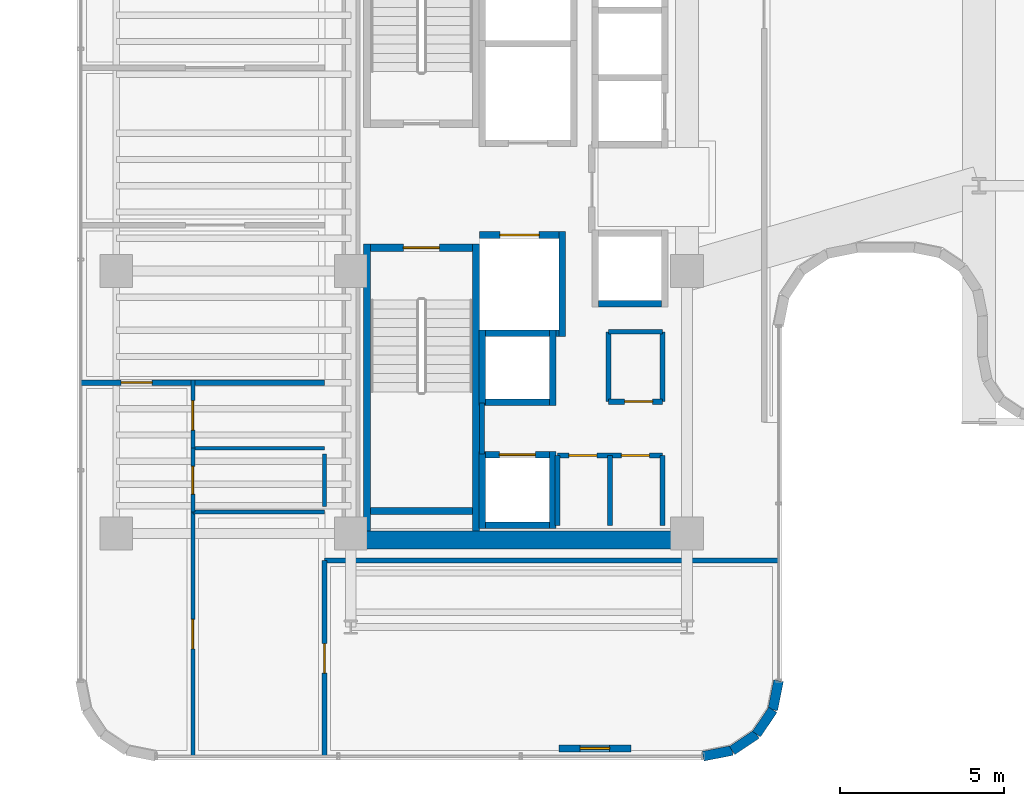
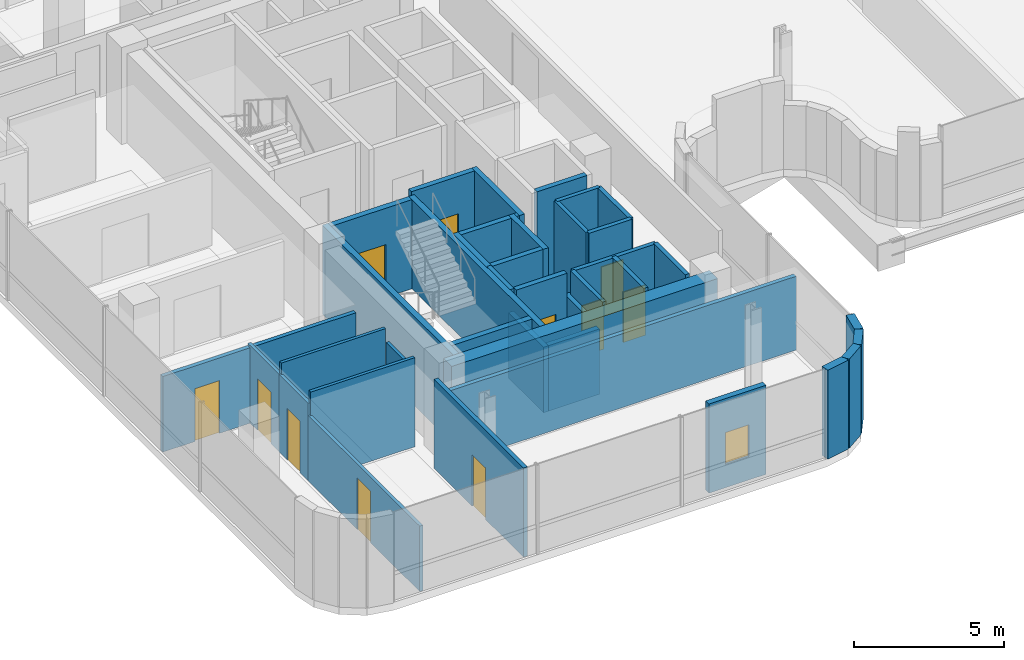
# One storey, part 27 of 39: 39 walls, 11 doors, 1 window, 12 openings.
"""IFC4 building model written with IfcOpenShell, lengths in metres."""

from ifc_helpers import new_model, si_unit, direction, frame, frame_2d, origin, place, context, subcontext, project, spatial, rectangle, extrude, material, layer, layer_set, type_object, element, fill, save


model = new_model("IFC4")

# Units and contexts
model_context = context("Model", 3, precision=1e-05, world=origin(), true_north=direction((0.0, 1.0)))
body_context = subcontext(model_context, "Body", "Model", "MODEL_VIEW")
ifc_project = project(units=[si_unit("LENGTHUNIT", "METRE"), si_unit("AREAUNIT", "SQUARE_METRE"), si_unit("VOLUMEUNIT", "CUBIC_METRE"), si_unit("PLANEANGLEUNIT", "RADIAN"), si_unit("MASSUNIT", "GRAM", prefix="KILO")], contexts=[model_context])

# Site, building, storey
site_placement = place(None, origin())
site = spatial("IfcSite", under=ifc_project, at=site_placement, CompositionType="ELEMENT")
building_placement = place(site_placement, origin())
building = spatial("IfcBuilding", under=site, at=building_placement, Name="Valdorenza Pilgrim Sanctuary Tower", CompositionType="ELEMENT")
storey_placement = place(building_placement, frame((0.0, 0.0, 184.449951171875)))
storey = spatial("IfcBuildingStorey", under=building, at=storey_placement, Name="L47", CompositionType="ELEMENT", Elevation=184.449951171875)

# Wall
ifc_material_1 = material(Name="Acoustic twin-stud gypsum partition", Category="gypsum")
ifc_layer_1 = layer(ifc_material_1, 0.159912109375, Name="Acoustic twin-stud gypsum partition")
ifc_layer_set_1 = layer_set([ifc_layer_1], Name="Acoustic twin-stud gypsum partition")
wall_type_1 = type_object("IfcWallType", Name="WAL-COR-160", PredefinedType="PARTITIONING", material=ifc_layer_set_1)
wall_1_placement = place(storey_placement, frame((-18.64990234375, -8.179931640625, 0.0), z_axis=(0.0, 0.0, 1.0), x_axis=(0.0, 1.0, 0.0)))
element("IfcWall", 1, at=wall_1_placement, inside=storey, type_object=wall_type_1, Name="L47 Core A South Lift Hall West Wall", PredefinedType="PARTITIONING", context=body_context, shape_type="SweptSolid", body=[
    extrude(rectangle(XDim=1.559814453125, YDim=0.159912109375, at=frame_2d((0.77978515625, 0.0))), origin(), (0.0, 0.0, 1.0), 3.630126953125),
])

# Wall, openings, doors
wall_2_placement = place(storey_placement, frame((-16.35009765625, -8.219970703125, 0.0), z_axis=(0.0, 0.0, 1.0), x_axis=(1.0, 0.0, 0.0)))
wall_2 = element("IfcWall", 2, at=wall_2_placement, inside=storey, type_object=wall_type_1, Name="L47 Freed Shaft 1 North Wall", PredefinedType="PARTITIONING", context=body_context, shape_type="SweptSolid", body=[
    extrude(rectangle(XDim=3.2001953125, YDim=0.159912109375, at=frame_2d((1.60009765625, 0.0))), origin(), (0.0, 0.0, 1.0), 3.630126953125),
])
opening_1_placement = place(wall_2_placement, frame((0.35009765625, 0.0, 0.0)))
opening_1 = element("IfcOpeningElement", 3, at=opening_1_placement, cuts=wall_2, Name="Opening DR-RS1", PredefinedType="OPENING", context=body_context, shape_type="SweptSolid", body=[
    extrude(rectangle(XDim=0.85009765625, YDim=2.050048828125, at=frame_2d((0.425048828125, 1.02490234375))), frame((0.0, 0.0947265625, 0.0), z_axis=(0.0, -1.0, 0.0), x_axis=(1.0, 0.0, 0.0)), (0.0, 0.0, 1.0), 0.189697265625),
])
opening_2_placement = place(wall_2_placement, frame((1.949951171875, 0.0, 0.0)))
opening_2 = element("IfcOpeningElement", 4, at=opening_2_placement, cuts=wall_2, Name="Opening DR-RS1", PredefinedType="OPENING", context=body_context, shape_type="SweptSolid", body=[
    extrude(rectangle(XDim=0.85009765625, YDim=2.050048828125, at=frame_2d((0.425048828125, 1.02490234375))), frame((0.0, 0.0947265625, 0.0), z_axis=(0.0, -1.0, 0.0), x_axis=(1.0, 0.0, 0.0)), (0.0, 0.0, 1.0), 0.189697265625),
])
ifc_material_2 = material(Name="Painted galvanized steel", Category="steel")
door_type_1 = type_object("IfcDoorType", Name="DR-RSR-850", OperationType="NOTDEFINED", PredefinedType="DOOR", material=ifc_material_2)
door_1_placement = place(opening_1_placement, origin())
door_1 = element("IfcDoor", 5, at=door_1_placement, inside=storey, type_object=door_type_1, Name="L47 Linen Store Door", OperationType="SINGLE_SWING_LEFT", OverallHeight=2.050048828125, OverallWidth=0.85009765625, PredefinedType="DOOR", context=body_context, shape_type="SweptSolid", body=[
    extrude(rectangle(XDim=0.85009765625, YDim=2.050048828125, at=frame_2d((0.425048828125, 1.02490234375))), frame((0.0, 0.02490234375, 0.0), z_axis=(0.0, -1.0, 0.0), x_axis=(1.0, 0.0, 0.0)), (0.0, 0.0, 1.0), 0.050048828125),
])
fill(opening_1, door_1)
door_2_placement = place(opening_2_placement, origin())
door_2 = element("IfcDoor", 6, at=door_2_placement, inside=storey, type_object=door_type_1, Name="L47 Cot Store Door", OperationType="SINGLE_SWING_RIGHT", OverallHeight=2.050048828125, OverallWidth=0.85009765625, PredefinedType="DOOR", context=body_context, shape_type="SweptSolid", body=[
    extrude(rectangle(XDim=0.85009765625, YDim=2.050048828125, at=frame_2d((0.425048828125, 1.02490234375))), frame((0.0, 0.02490234375, 0.0), z_axis=(0.0, -1.0, 0.0), x_axis=(1.0, 0.0, 0.0)), (0.0, 0.0, 1.0), 0.050048828125),
])
fill(opening_2, door_2)

# Walls
for number, where, z_axis, x_axis, name in (
    (7, (-13.14990234375, -10.35009765625, 0.0), (0.0, 0.0, 1.0), (0.0, 1.0, 0.0), "L47 Freed Shaft 1 East Wall"),
    (8, (-14.75, -10.35009765625, 0.0), (0.0, 0.0, 1.0), (0.0, 1.0, 0.0), "L47 Freed Shaft 1 Split Wall"),
):
    element("IfcWall", number, at=place(storey_placement, frame(where, z_axis=z_axis, x_axis=x_axis)), inside=storey, type_object=wall_type_1, Name=name, PredefinedType="PARTITIONING", context=body_context, shape_type="SweptSolid", body=[
        extrude(rectangle(XDim=2.130126953125, YDim=0.159912109375, at=frame_2d((1.06494140625, 0.0))), origin(), (0.0, 0.0, 1.0), 3.630126953125),
    ])

# Wall, opening, door
wall_3_placement = place(storey_placement, frame((-14.800048828125, -6.580078125, 0.0), z_axis=(0.0, 0.0, 1.0), x_axis=(1.0, 0.0, 0.0)))
wall_3 = element("IfcWall", 9, at=wall_3_placement, inside=storey, type_object=wall_type_1, Name="L47 Freed Shaft 2 South Wall", PredefinedType="PARTITIONING", context=body_context, shape_type="SweptSolid", body=[
    extrude(rectangle(XDim=1.650146484375, YDim=0.159912109375, at=frame_2d((0.8251953125, 0.0))), origin(), (0.0, 0.0, 1.0), 3.630126953125),
])
opening_3_placement = place(wall_3_placement, frame((0.5, 0.0, 0.0)))
opening_3 = element("IfcOpeningElement", 10, at=opening_3_placement, cuts=wall_3, Name="Opening DR-RS1", PredefinedType="OPENING", context=body_context, shape_type="SweptSolid", body=[
    extrude(rectangle(XDim=0.85009765625, YDim=2.050048828125, at=frame_2d((0.425048828125, 1.02490234375))), frame((0.0, 0.0947265625, 0.0), z_axis=(0.0, -1.0, 0.0), x_axis=(1.0, 0.0, 0.0)), (0.0, 0.0, 1.0), 0.189697265625),
])
door_3_placement = place(opening_3_placement, origin())
door_3 = element("IfcDoor", 11, at=door_3_placement, inside=storey, type_object=door_type_1, Name="L47 Guest Tea Pantry Door", OperationType="SINGLE_SWING_LEFT", OverallHeight=2.050048828125, OverallWidth=0.85009765625, PredefinedType="DOOR", context=body_context, shape_type="SweptSolid", body=[
    extrude(rectangle(XDim=0.85009765625, YDim=2.050048828125, at=frame_2d((0.425048828125, 1.02490234375))), frame((0.0, 0.02490234375, 0.0), z_axis=(0.0, -1.0, 0.0), x_axis=(1.0, 0.0, 0.0)), (0.0, 0.0, 1.0), 0.050048828125),
])
fill(opening_3, door_3)

# Walls
wall_4_placement = place(storey_placement, frame((-13.14990234375, -6.580078125, 0.0), z_axis=(0.0, 0.0, 1.0), x_axis=(0.0, 1.0, 0.0)))
element("IfcWall", 12, at=wall_4_placement, inside=storey, type_object=wall_type_1, Name="L47 Freed Shaft 2 East Wall", PredefinedType="PARTITIONING", context=body_context, shape_type="SweptSolid", body=[
    extrude(rectangle(XDim=2.130126953125, YDim=0.159912109375, at=frame_2d((1.06494140625, 0.0))), origin(), (0.0, 0.0, 1.0), 3.630126953125),
])
wall_5_placement = place(storey_placement, frame((-23.449951171875, -11.419921875, 0.0), z_axis=(0.0, 0.0, 1.0), x_axis=(1.0, 0.0, 0.0)))
element("IfcWall", 13, at=wall_5_placement, inside=storey, type_object=wall_type_1, Name="L47 South-East Pocket North Wall", PredefinedType="PARTITIONING", context=body_context, shape_type="SweptSolid", body=[
    extrude(rectangle(XDim=13.83984375, YDim=0.159912109375, at=frame_2d((6.919921875, 0.0))), origin(), (0.0, 0.0, 1.0), 3.004150390625),
])

# Wall, opening, door
wall_6_placement = place(storey_placement, frame((-23.449951171875, -17.389892578125, 0.0), z_axis=(0.0, 0.0, 1.0), x_axis=(0.0, 1.0, 0.0)))
wall_6 = element("IfcWall", 14, at=wall_6_placement, inside=storey, type_object=wall_type_1, Name="L47 South-East Pocket West Wall", PredefinedType="PARTITIONING", context=body_context, shape_type="SweptSolid", body=[
    extrude(rectangle(XDim=5.969970703125, YDim=0.159912109375, at=frame_2d((2.98486328125, 0.0))), origin(), (0.0, 0.0, 1.0), 3.630126953125),
])
opening_4_placement = place(wall_6_placement, frame((2.534912109375, 0.0, 0.0)))
opening_4 = element("IfcOpeningElement", 15, at=opening_4_placement, cuts=wall_6, Name="Opening DR-RM1", PredefinedType="OPENING", context=body_context, shape_type="SweptSolid", body=[
    extrude(rectangle(XDim=0.89990234375, YDim=2.10009765625, at=frame_2d((0.449951171875, 1.050048828125))), frame((0.0, 0.0947265625, 0.0), z_axis=(0.0, -1.0, 0.0), x_axis=(1.0, 0.0, 0.0)), (0.0, 0.0, 1.0), 0.189697265625),
])
ifc_material_3 = material(Name="Solid-core European oak timber", Category="wood")
door_type_2 = type_object("IfcDoorType", Name="DR-ROOM-900", OperationType="NOTDEFINED", PredefinedType="DOOR", material=ifc_material_3)
door_4_placement = place(opening_4_placement, frame((0.89990234375, 0.0, 0.0), z_axis=(0.0, 0.0, 1.0), x_axis=(-1.0, 0.0, 0.0)))
door_4 = element("IfcDoor", 16, at=door_4_placement, inside=storey, type_object=door_type_2, Name="L47 South Panoramic Viewing Salon L47 Door", OperationType="SINGLE_SWING_LEFT", OverallHeight=2.10009765625, OverallWidth=0.89990234375, PredefinedType="DOOR", context=body_context, shape_type="SweptSolid", body=[
    extrude(rectangle(XDim=0.89990234375, YDim=2.10009765625, at=frame_2d((0.449951171875, 1.050048828125))), frame((0.0, 0.02490234375, 0.0), z_axis=(0.0, -1.0, 0.0), x_axis=(1.0, 0.0, 0.0)), (0.0, 0.0, 1.0), 0.050048828125),
])
fill(opening_4, door_4)

wall_7_placement = place(storey_placement, frame((-30.889892578125, -6.0, 0.0), z_axis=(0.0, 0.0, 1.0), x_axis=(1.0, 0.0, 0.0)))
wall_7 = element("IfcWall", 17, at=wall_7_placement, inside=storey, type_object=wall_type_1, Name="L47 Cloister South Room Wall", PredefinedType="PARTITIONING", context=body_context, shape_type="SweptSolid", body=[
    extrude(rectangle(XDim=7.43994140625, YDim=0.159912109375, at=frame_2d((3.719970703125, 0.0))), origin(), (0.0, 0.0, 1.0), 3.075927734375),
])
opening_5_placement = place(wall_7_placement, frame((1.236083984375, 0.0, 0.0)))
opening_5 = element("IfcOpeningElement", 18, at=opening_5_placement, cuts=wall_7, Name="Opening DR-UN1", PredefinedType="OPENING", context=body_context, shape_type="SweptSolid", body=[
    extrude(rectangle(XDim=0.949951171875, YDim=2.14990234375, at=frame_2d((0.47509765625, 1.074951171875))), frame((0.0, 0.0947265625, 0.0), z_axis=(0.0, -1.0, 0.0), x_axis=(1.0, 0.0, 0.0)), (0.0, 0.0, 1.0), 0.189697265625),
])
door_type_3 = type_object("IfcDoorType", Name="DR-UNIT-950", OperationType="NOTDEFINED", PredefinedType="DOOR", material=ifc_material_3)
door_5_placement = place(opening_5_placement, origin())
door_5 = element("IfcDoor", 19, at=door_5_placement, inside=storey, type_object=door_type_3, Name="L47 Sanctuary Apartment L47-CS1 Entrance Door", OperationType="SINGLE_SWING_RIGHT", OverallHeight=2.14990234375, OverallWidth=0.949951171875, PredefinedType="DOOR", context=body_context, shape_type="SweptSolid", body=[
    extrude(rectangle(XDim=0.949951171875, YDim=2.14990234375, at=frame_2d((0.47509765625, 1.074951171875))), frame((0.0, 0.02490234375, 0.0), z_axis=(0.0, -1.0, 0.0), x_axis=(1.0, 0.0, 0.0)), (0.0, 0.0, 1.0), 0.050048828125),
])
fill(opening_5, door_5)

# Walls
ifc_material_4 = material(Name="Concrete C50/60", Category="concrete")
ifc_layer_2 = layer(ifc_material_4, 0.550048828125, Name="Concrete C50/60")
ifc_layer_set_2 = layer_set([ifc_layer_2], Name="Concrete C50/60")
wall_type_2 = type_object("IfcWallType", Name="WAL-COR-550", PredefinedType="SHEAR", material=ifc_layer_set_2)
wall_8_placement = place(storey_placement, frame((-22.64990234375, -10.800048828125, 0.0), z_axis=(0.0, 0.0, 1.0), x_axis=(1.0, 0.0, 0.0)))
element("IfcWall", 20, at=wall_8_placement, inside=storey, type_object=wall_type_2, Name="L47 Split Core A Shear Wall S", PredefinedType="SHEAR", context=body_context, shape_type="SweptSolid", body=[
    extrude(rectangle(XDim=10.25, YDim=0.550048828125, at=frame_2d((5.125, 0.0))), origin(), (0.0, 0.0, 1.0), 3.630126953125),
])
ifc_material_5 = material(Name="Honed travertine limestone", Category="masonry")
ifc_layer_3 = layer(ifc_material_5, 0.300048828125, Name="Honed travertine limestone")
ifc_layer_set_3 = layer_set([ifc_layer_3], Name="Honed travertine limestone")
wall_type_3 = type_object("IfcWallType", Name="WAL-EXT-300", PredefinedType="SOLIDWALL", material=ifc_layer_set_3)
wall_9_placement = place(storey_placement, frame((-9.610107421875, -15.089111328125, 0.0), z_axis=(0.0, 0.0, 1.0), x_axis=(-0.195025152871, -0.980798241101, 0.0)))
element("IfcWall", 21, at=wall_9_placement, inside=storey, type_object=wall_type_3, Name="L47 Rounded Wind-Corner Stone Pier 78", PredefinedType="SOLIDWALL", context=body_context, shape_type="SweptSolid", body=[
    extrude(rectangle(XDim=0.90380859375, YDim=0.300048828125, at=frame_2d((0.451904296875, 0.0))), origin(), (0.0, 0.0, 1.0), 3.630126953125),
])
for number, where, z_axis, x_axis, name in (
    (22, (-9.786376953125, -15.9755859375, 0.0), (0.0, 0.0, 1.0), (-0.555520488502, -0.831502848374, 0.0), "L47 Rounded Wind-Corner Stone Pier 79"),
    (23, (-10.2822265625, -16.7177734375, 0.0), (0.0, 0.0, 1.0), (-0.831502848374, -0.555520488502, 0.0), "L47 Rounded Wind-Corner Stone Pier 80"),
):
    element("IfcWall", number, at=place(storey_placement, frame(where, z_axis=z_axis, x_axis=x_axis)), inside=storey, type_object=wall_type_3, Name=name, PredefinedType="SOLIDWALL", context=body_context, shape_type="SweptSolid", body=[
        extrude(rectangle(XDim=0.892578125, YDim=0.300048828125, at=frame_2d((0.4462890625, 0.0))), origin(), (0.0, 0.0, 1.0), 3.630126953125),
    ])
wall_10_placement = place(storey_placement, frame((-11.0244140625, -17.213623046875, 0.0), z_axis=(0.0, 0.0, 1.0), x_axis=(-0.980798241101, -0.195025152871, 0.0)))
element("IfcWall", 24, at=wall_10_placement, inside=storey, type_object=wall_type_3, Name="L47 Rounded Wind-Corner Stone Pier 81", PredefinedType="SOLIDWALL", context=body_context, shape_type="SweptSolid", body=[
    extrude(rectangle(XDim=0.90380859375, YDim=0.300048828125, at=frame_2d((0.451904296875, 0.0))), origin(), (0.0, 0.0, 1.0), 3.630126953125),
])

# Wall, opening, window
wall_11_placement = place(storey_placement, frame((-14.11083984375, -17.14990234375, 0.0), z_axis=(0.0, 0.0, 1.0), x_axis=(-1.0, 0.0, 0.0)))
wall_11 = element("IfcWall", 25, at=wall_11_placement, inside=storey, type_object=wall_type_3, Name="L47 Operable Ventilation Sash Jamb Pier", PredefinedType="SOLIDWALL", context=body_context, shape_type="SweptSolid", body=[
    extrude(rectangle(XDim=2.199951171875, YDim=0.219970703125, at=frame_2d((1.10009765625, 0.0))), origin(), (0.0, 0.0, 1.0), 3.630126953125),
])
opening_6_placement = place(wall_11_placement, frame((0.64990234375, 0.0, 0.949951171875)))
opening_6 = element("IfcOpeningElement", 26, at=opening_6_placement, cuts=wall_11, Name="Opening WN-OP1", PredefinedType="OPENING", context=body_context, shape_type="SweptSolid", body=[
    extrude(rectangle(XDim=0.89990234375, YDim=1.300048828125, at=frame_2d((0.449951171875, 0.64990234375))), frame((0.0, 0.125, 0.0), z_axis=(0.0, -1.0, 0.0), x_axis=(1.0, 0.0, 0.0)), (0.0, 0.0, 1.0), 0.249755859375),
])
ifc_material_6 = material(Name="Ceramic-fritted low-E IGU glazing", Category="glass")
window_type = type_object("IfcWindowType", Name="WIN-OPN-900", PartitioningType="SINGLE_PANEL", PredefinedType="WINDOW", material=ifc_material_6)
window_placement = place(opening_6_placement, origin())
window = element("IfcWindow", 27, at=window_placement, inside=storey, type_object=window_type, Name="L47 Parallel-Pop-Out Operable Facade Panel", OverallHeight=1.300048828125, OverallWidth=0.89990234375, PartitioningType="SINGLE_PANEL", PredefinedType="WINDOW", context=body_context, shape_type="SweptSolid", body=[
    extrude(rectangle(XDim=0.89990234375, YDim=1.300048828125, at=frame_2d((0.449951171875, 0.64990234375))), frame((0.0, 0.030029296875, 0.0), z_axis=(0.0, -1.0, 0.0), x_axis=(1.0, 0.0, 0.0)), (0.0, 0.0, 1.0), 0.06005859375),
])
fill(opening_6, window)

# Walls
ifc_material_7 = material(Name="Moisture-resistant gypsum partition", Category="gypsum")
ifc_layer_4 = layer(ifc_material_7, 0.1201171875, Name="Moisture-resistant gypsum partition")
ifc_layer_set_4 = layer_set([ifc_layer_4], Name="Moisture-resistant gypsum partition")
wall_type_4 = type_object("IfcWallType", Name="WAL-INT-120", PredefinedType="PARTITIONING", material=ifc_layer_set_4)
for number, where, z_axis, x_axis, name in (
    (28, (-27.467529296875, -8.0, 0.0), (0.0, 0.0, 1.0), (1.0, 0.0, 0.0), "L47 Sanctuary Apartment L47-CS1 Bath-Kitchen Wall"),
    (29, (-27.467529296875, -9.949951171875, 0.0), (0.0, 0.0, 1.0), (1.0, 0.0, 0.0), "L47 Sanctuary Apartment L47-CS1 Kitchen-Bedroom Wall"),
):
    element("IfcWall", number, at=place(storey_placement, frame(where, z_axis=z_axis, x_axis=x_axis)), inside=storey, type_object=wall_type_4, Name=name, PredefinedType="PARTITIONING", context=body_context, shape_type="SweptSolid", body=[
        extrude(rectangle(XDim=4.017578125, YDim=0.1201171875, at=frame_2d((2.0087890625, 0.0))), origin(), (0.0, 0.0, 1.0), 3.630126953125),
    ])

# Wall, opening, door
wall_12_placement = place(storey_placement, frame((-27.467529296875, -9.949951171875, 0.0), z_axis=(0.0, 0.0, 1.0), x_axis=(0.0, 1.0, 0.0)))
wall_12 = element("IfcWall", 30, at=wall_12_placement, inside=storey, type_object=wall_type_4, Name="L47 Sanctuary Apartment L47-CS1 Bathroom Door Wall", PredefinedType="PARTITIONING", context=body_context, shape_type="SweptSolid", body=[
    extrude(rectangle(XDim=1.949951171875, YDim=0.1201171875, at=frame_2d((0.97509765625, 0.0))), origin(), (0.0, 0.0, 1.0), 3.157958984375),
])
opening_7_placement = place(wall_12_placement, frame((0.550048828125, 0.0, 0.0)))
opening_7 = element("IfcOpeningElement", 31, at=opening_7_placement, cuts=wall_12, Name="Opening DR-WC1", PredefinedType="OPENING", context=body_context, shape_type="SweptSolid", body=[
    extrude(rectangle(XDim=0.85009765625, YDim=2.10009765625, at=frame_2d((0.425048828125, 1.050048828125))), frame((0.0, 0.074951171875, 0.0), z_axis=(0.0, -1.0, 0.0), x_axis=(1.0, 0.0, 0.0)), (0.0, 0.0, 1.0), 0.14990234375),
])
ifc_material_8 = material(Name="Moisture-resistant lacquered timber", Category="wood")
door_type_4 = type_object("IfcDoorType", Name="DR-BATH-850", OperationType="NOTDEFINED", PredefinedType="DOOR", material=ifc_material_8)
door_6_placement = place(opening_7_placement, origin())
door_6 = element("IfcDoor", 32, at=door_6_placement, inside=storey, type_object=door_type_4, Name="L47 Sanctuary Apartment L47-CS1 Bathroom Door", OperationType="SINGLE_SWING_LEFT", OverallHeight=2.10009765625, OverallWidth=0.85009765625, PredefinedType="DOOR", context=body_context, shape_type="SweptSolid", body=[
    extrude(rectangle(XDim=0.85009765625, YDim=2.10009765625, at=frame_2d((0.425048828125, 1.050048828125))), frame((0.0, 0.02490234375, 0.0), z_axis=(0.0, -1.0, 0.0), x_axis=(1.0, 0.0, 0.0)), (0.0, 0.0, 1.0), 0.050048828125),
])
fill(opening_7, door_6)

wall_13_placement = place(storey_placement, frame((-27.467529296875, -8.0, 0.0), z_axis=(0.0, 0.0, 1.0), x_axis=(0.0, 1.0, 0.0)))
wall_13 = element("IfcWall", 33, at=wall_13_placement, inside=storey, type_object=wall_type_4, Name="L47 Sanctuary Apartment L47-CS1 Kitchen Door Wall", PredefinedType="PARTITIONING", context=body_context, shape_type="SweptSolid", body=[
    extrude(rectangle(XDim=2.080078125, YDim=0.1201171875, at=frame_2d((1.0400390625, 0.0))), origin(), (0.0, 0.0, 1.0), 3.157958984375),
])
opening_8_placement = place(wall_13_placement, frame((0.550048828125, 0.0, 0.0)))
opening_8 = element("IfcOpeningElement", 34, at=opening_8_placement, cuts=wall_13, Name="Opening DR-RM1", PredefinedType="OPENING", context=body_context, shape_type="SweptSolid", body=[
    extrude(rectangle(XDim=0.89990234375, YDim=2.10009765625, at=frame_2d((0.449951171875, 1.050048828125))), frame((0.0, 0.074951171875, 0.0), z_axis=(0.0, -1.0, 0.0), x_axis=(1.0, 0.0, 0.0)), (0.0, 0.0, 1.0), 0.14990234375),
])
door_7_placement = place(opening_8_placement, origin())
door_7 = element("IfcDoor", 35, at=door_7_placement, inside=storey, type_object=door_type_2, Name="L47 Sanctuary Apartment L47-CS1 Kitchen Door", OperationType="SINGLE_SWING_RIGHT", OverallHeight=2.10009765625, OverallWidth=0.89990234375, PredefinedType="DOOR", context=body_context, shape_type="SweptSolid", body=[
    extrude(rectangle(XDim=0.89990234375, YDim=2.10009765625, at=frame_2d((0.449951171875, 1.050048828125))), frame((0.0, 0.02490234375, 0.0), z_axis=(0.0, -1.0, 0.0), x_axis=(1.0, 0.0, 0.0)), (0.0, 0.0, 1.0), 0.050048828125),
])
fill(opening_8, door_7)

wall_14_placement = place(storey_placement, frame((-27.467529296875, -17.389892578125, 0.0), z_axis=(0.0, 0.0, 1.0), x_axis=(0.0, 1.0, 0.0)))
wall_14 = element("IfcWall", 36, at=wall_14_placement, inside=storey, type_object=wall_type_4, Name="L47 Sanctuary Apartment L47-CS1 Bedroom Door Wall", PredefinedType="PARTITIONING", context=body_context, shape_type="SweptSolid", body=[
    extrude(rectangle(XDim=7.43994140625, YDim=0.1201171875, at=frame_2d((3.719970703125, 0.0))), origin(), (0.0, 0.0, 1.0), 2.6650390625),
])
opening_9_placement = place(wall_14_placement, frame((3.27001953125, 0.0, 0.0)))
opening_9 = element("IfcOpeningElement", 37, at=opening_9_placement, cuts=wall_14, Name="Opening DR-RM1", PredefinedType="OPENING", context=body_context, shape_type="SweptSolid", body=[
    extrude(rectangle(XDim=0.89990234375, YDim=2.10009765625, at=frame_2d((0.449951171875, 1.050048828125))), frame((0.0, 0.074951171875, 0.0), z_axis=(0.0, -1.0, 0.0), x_axis=(1.0, 0.0, 0.0)), (0.0, 0.0, 1.0), 0.14990234375),
])
door_8_placement = place(opening_9_placement, frame((0.89990234375, 0.0, 0.0), z_axis=(0.0, 0.0, 1.0), x_axis=(-1.0, 0.0, 0.0)))
door_8 = element("IfcDoor", 38, at=door_8_placement, inside=storey, type_object=door_type_2, Name="L47 Sanctuary Apartment L47-CS1 Bedroom Door", OperationType="SINGLE_SWING_LEFT", OverallHeight=2.10009765625, OverallWidth=0.89990234375, PredefinedType="DOOR", context=body_context, shape_type="SweptSolid", body=[
    extrude(rectangle(XDim=0.89990234375, YDim=2.10009765625, at=frame_2d((0.449951171875, 1.050048828125))), frame((0.0, 0.02490234375, 0.0), z_axis=(0.0, -1.0, 0.0), x_axis=(1.0, 0.0, 0.0)), (0.0, 0.0, 1.0), 0.050048828125),
])
fill(opening_9, door_8)

# Walls
wall_15_placement = place(storey_placement, frame((-23.449951171875, -9.77001953125, 0.0), z_axis=(0.0, 0.0, 1.0), x_axis=(0.0, 1.0, 0.0)))
element("IfcWall", 39, at=wall_15_placement, inside=storey, type_object=wall_type_4, Name="L47 CL-SF1-BTH Enclosure Wall E", PredefinedType="PARTITIONING", context=body_context, shape_type="SweptSolid", body=[
    extrude(rectangle(XDim=1.590087890625, YDim=0.1201171875, at=frame_2d((0.794921875, 0.0))), origin(), (0.0, 0.0, 1.0), 3.157958984375),
])
ifc_material_9 = material(Name="Autoclaved aerated concrete blockwork", Category="masonry")
ifc_layer_5 = layer(ifc_material_9, 0.199951171875, Name="Autoclaved aerated concrete blockwork")
ifc_layer_set_5 = layer_set([ifc_layer_5], Name="Autoclaved aerated concrete blockwork")
wall_type_5 = type_object("IfcWallType", Name="WAL-SHF-200", PredefinedType="MOVABLE", material=ifc_layer_set_5)
wall_16_placement = place(storey_placement, frame((-16.199951171875, -4.60009765625, 0.0), z_axis=(0.0, 0.0, 1.0), x_axis=(0.0, 1.0, 0.0)))
element("IfcWall", 40, at=wall_16_placement, inside=storey, type_object=wall_type_5, Name="L47 Lift FFL-02 Hoistway Wall East", PredefinedType="MOVABLE", context=body_context, shape_type="SweptSolid", body=[
    extrude(rectangle(XDim=3.2001953125, YDim=0.199951171875, at=frame_2d((1.60009765625, 0.0))), origin(), (0.0, 0.0, 1.0), 3.630126953125),
])
wall_17_placement = place(storey_placement, frame((-18.719970703125, -4.5, 0.0), z_axis=(0.0, 0.0, 1.0), x_axis=(1.0, 0.0, 0.0)))
element("IfcWall", 41, at=wall_17_placement, inside=storey, type_object=wall_type_5, Name="L47 Lift FFL-02 Hoistway Wall South", PredefinedType="MOVABLE", context=body_context, shape_type="SweptSolid", body=[
    extrude(rectangle(XDim=2.419921875, YDim=0.199951171875, at=frame_2d((1.2099609375, 0.0))), origin(), (0.0, 0.0, 1.0), 3.630126953125),
])

# Wall, opening, door
wall_18_placement = place(storey_placement, frame((-18.719970703125, -1.5, 0.0), z_axis=(0.0, 0.0, 1.0), x_axis=(1.0, 0.0, 0.0)))
wall_18 = element("IfcWall", 42, at=wall_18_placement, inside=storey, type_object=wall_type_5, Name="L47 Lift FFL-02 Hoistway Wall North", PredefinedType="MOVABLE", context=body_context, shape_type="SweptSolid", body=[
    extrude(rectangle(XDim=2.419921875, YDim=0.199951171875, at=frame_2d((1.2099609375, 0.0))), origin(), (0.0, 0.0, 1.0), 3.630126953125),
])
opening_10_placement = place(wall_18_placement, frame((0.610107421875, 0.0, 0.0)))
opening_10 = element("IfcOpeningElement", 43, at=opening_10_placement, cuts=wall_18, Name="Opening LD-02", PredefinedType="OPENING", context=body_context, shape_type="SweptSolid", body=[
    extrude(rectangle(XDim=1.199951171875, YDim=2.10009765625, at=frame_2d((0.60009765625, 1.050048828125))), frame((0.0, 0.11474609375, 0.0), z_axis=(0.0, -1.0, 0.0), x_axis=(1.0, 0.0, 0.0)), (0.0, 0.0, 1.0), 0.229736328125),
])
ifc_material_10 = material(Name="Brushed stainless steel Grade 316", Category="steel")
door_type_5 = type_object("IfcDoorType", Name="DR-LFT-1200", OperationType="DOUBLE_DOOR_SLIDING", PredefinedType="DOOR", material=ifc_material_10)
door_9_placement = place(opening_10_placement, origin())
door_9 = element("IfcDoor", 44, at=door_9_placement, inside=storey, type_object=door_type_5, Name="L47 Lift FFL-02 Sliding Landing Door", OperationType="DOUBLE_DOOR_SLIDING", OverallHeight=2.10009765625, OverallWidth=1.199951171875, PredefinedType="DOOR", context=body_context, shape_type="SweptSolid", body=[
    extrude(rectangle(XDim=1.199951171875, YDim=2.10009765625, at=frame_2d((0.60009765625, 1.050048828125))), frame((0.0, 0.02490234375, 0.0), z_axis=(0.0, -1.0, 0.0), x_axis=(1.0, 0.0, 0.0)), (0.0, 0.0, 1.0), 0.050048828125),
])
fill(opening_10, door_9)

# Walls
for number, where, z_axis, x_axis, name in (
    (45, (-18.64990234375, -10.449951171875, 0.0), (0.0, 0.0, 1.0), (0.0, 1.0, 0.0), "L47 Lift PL-05 Hoistway Wall West"),
    (46, (-16.5, -10.449951171875, 0.0), (0.0, 0.0, 1.0), (0.0, 1.0, 0.0), "L47 Lift PL-05 Hoistway Wall East"),
):
    element("IfcWall", number, at=place(storey_placement, frame(where, z_axis=z_axis, x_axis=x_axis)), inside=storey, type_object=wall_type_5, Name=name, PredefinedType="MOVABLE", context=body_context, shape_type="SweptSolid", body=[
        extrude(rectangle(XDim=2.349853515625, YDim=0.199951171875, at=frame_2d((1.1748046875, 0.0))), origin(), (0.0, 0.0, 1.0), 2.6650390625),
    ])
wall_19_placement = place(storey_placement, frame((-18.550048828125, -10.35009765625, 0.0), z_axis=(0.0, 0.0, 1.0), x_axis=(1.0, 0.0, 0.0)))
element("IfcWall", 47, at=wall_19_placement, inside=storey, type_object=wall_type_5, Name="L47 Lift PL-05 Hoistway Wall South", PredefinedType="MOVABLE", context=body_context, shape_type="SweptSolid", body=[
    extrude(rectangle(XDim=1.949951171875, YDim=0.199951171875, at=frame_2d((0.97509765625, 0.0))), origin(), (0.0, 0.0, 1.0), 2.6650390625),
])

# Wall, opening, door
wall_20_placement = place(storey_placement, frame((-18.550048828125, -8.199951171875, 0.0), z_axis=(0.0, 0.0, 1.0), x_axis=(1.0, 0.0, 0.0)))
wall_20 = element("IfcWall", 48, at=wall_20_placement, inside=storey, type_object=wall_type_5, Name="L47 Lift PL-05 Hoistway Wall North", PredefinedType="MOVABLE", context=body_context, shape_type="SweptSolid", body=[
    extrude(rectangle(XDim=1.949951171875, YDim=0.199951171875, at=frame_2d((0.97509765625, 0.0))), origin(), (0.0, 0.0, 1.0), 3.630126953125),
])
opening_11_placement = place(wall_20_placement, frame((0.425048828125, 0.0, 0.0)))
opening_11 = element("IfcOpeningElement", 49, at=opening_11_placement, cuts=wall_20, Name="Opening LD-01", PredefinedType="OPENING", context=body_context, shape_type="SweptSolid", body=[
    extrude(rectangle(XDim=1.10009765625, YDim=2.10009765625, at=frame_2d((0.550048828125, 1.050048828125))), frame((0.0, 0.11474609375, 0.0), z_axis=(0.0, -1.0, 0.0), x_axis=(1.0, 0.0, 0.0)), (0.0, 0.0, 1.0), 0.229736328125),
])
door_type_6 = type_object("IfcDoorType", Name="DR-LFT-1100", OperationType="DOUBLE_DOOR_SLIDING", PredefinedType="DOOR", material=ifc_material_10)
door_10_placement = place(opening_11_placement, origin())
door_10 = element("IfcDoor", 50, at=door_10_placement, inside=storey, type_object=door_type_6, Name="L47 Lift PL-05 Sliding Landing Door", OperationType="DOUBLE_DOOR_SLIDING", OverallHeight=2.10009765625, OverallWidth=1.10009765625, PredefinedType="DOOR", context=body_context, shape_type="SweptSolid", body=[
    extrude(rectangle(XDim=1.10009765625, YDim=2.10009765625, at=frame_2d((0.550048828125, 1.050048828125))), frame((0.0, 0.02490234375, 0.0), z_axis=(0.0, -1.0, 0.0), x_axis=(1.0, 0.0, 0.0)), (0.0, 0.0, 1.0), 0.050048828125),
])
fill(opening_11, door_10)

# Walls
for number, where, z_axis, x_axis, name in (
    (51, (-18.64990234375, -6.699951171875, 0.0), (0.0, 0.0, 1.0), (0.0, 1.0, 0.0), "L47 Lift PL-11 Hoistway Wall West"),
    (52, (-16.5, -6.699951171875, 0.0), (0.0, 0.0, 1.0), (0.0, 1.0, 0.0), "L47 Lift PL-11 Hoistway Wall East"),
):
    element("IfcWall", number, at=place(storey_placement, frame(where, z_axis=z_axis, x_axis=x_axis)), inside=storey, type_object=wall_type_5, Name=name, PredefinedType="MOVABLE", context=body_context, shape_type="SweptSolid", body=[
        extrude(rectangle(XDim=2.300048828125, YDim=0.199951171875, at=frame_2d((1.14990234375, 0.0))), origin(), (0.0, 0.0, 1.0), 3.630126953125),
    ])
wall_21_placement = place(storey_placement, frame((-18.550048828125, -6.60009765625, 0.0), z_axis=(0.0, 0.0, 1.0), x_axis=(1.0, 0.0, 0.0)))
element("IfcWall", 53, at=wall_21_placement, inside=storey, type_object=wall_type_5, Name="L47 Lift PL-11 Hoistway Wall South", PredefinedType="MOVABLE", context=body_context, shape_type="SweptSolid", body=[
    extrude(rectangle(XDim=1.949951171875, YDim=0.199951171875, at=frame_2d((0.97509765625, 0.0))), origin(), (0.0, 0.0, 1.0), 3.630126953125),
])
wall_22_placement = place(storey_placement, frame((-15.10009765625, -3.60009765625, 0.0), z_axis=(0.0, 0.0, 1.0), x_axis=(1.0, 0.0, 0.0)))
element("IfcWall", 54, at=wall_22_placement, inside=storey, type_object=wall_type_5, Name="L47 Lift PL-12 Hoistway Wall South", PredefinedType="MOVABLE", context=body_context, shape_type="SweptSolid", body=[
    extrude(rectangle(XDim=1.920166015625, YDim=0.199951171875, at=frame_2d((0.9599609375, 0.0))), origin(), (0.0, 0.0, 1.0), 3.630126953125),
])
ifc_material_11 = material(Name="Concrete C40/50", Category="concrete")
ifc_layer_6 = layer(ifc_material_11, 0.219970703125, Name="Concrete C40/50")
ifc_layer_set_6 = layer_set([ifc_layer_6], Name="Concrete C40/50")
wall_type_6 = type_object("IfcWallType", Name="WAL-STR-SHF-220", PredefinedType="SHEAR", material=ifc_layer_set_6)
for number, where, z_axis, x_axis, name in (
    (55, (-22.159912109375, -10.52490234375, 0.0), (0.0, 0.0, 1.0), (0.0, 1.0, 0.0), "L47 ST-A2 Structural Stairwell Wall W"),
    (56, (-18.830078125, -10.52490234375, 0.0), (0.0, 0.0, 1.0), (0.0, 1.0, 0.0), "L47 ST-A2 Structural Stairwell Wall E"),
):
    element("IfcWall", number, at=place(storey_placement, frame(where, z_axis=z_axis, x_axis=x_axis)), inside=storey, type_object=wall_type_6, Name=name, PredefinedType="SHEAR", context=body_context, shape_type="SweptSolid", body=[
        extrude(rectangle(XDim=8.744873046875, YDim=0.219970703125, at=frame_2d((4.37255859375, 0.0))), origin(), (0.0, 0.0, 1.0), 3.630126953125),
    ])
wall_23_placement = place(storey_placement, frame((-22.050048828125, -9.909912109375, 0.0), z_axis=(0.0, 0.0, 1.0), x_axis=(1.0, 0.0, 0.0)))
element("IfcWall", 57, at=wall_23_placement, inside=storey, type_object=wall_type_6, Name="L47 ST-A2 Structural Stairwell Wall S", PredefinedType="SHEAR", context=body_context, shape_type="SweptSolid", body=[
    extrude(rectangle(XDim=3.110107421875, YDim=0.219970703125, at=frame_2d((1.55517578125, 0.0))), origin(), (0.0, 0.0, 1.0), 3.630126953125),
])

# Wall, opening, door
wall_24_placement = place(storey_placement, frame((-22.050048828125, -1.889892578125, 0.0), z_axis=(0.0, 0.0, 1.0), x_axis=(1.0, 0.0, 0.0)))
wall_24 = element("IfcWall", 58, at=wall_24_placement, inside=storey, type_object=wall_type_6, Name="L47 ST-A2 Structural Stairwell Wall N", PredefinedType="SHEAR", context=body_context, shape_type="SweptSolid", body=[
    extrude(rectangle(XDim=3.110107421875, YDim=0.219970703125, at=frame_2d((1.55517578125, 0.0))), origin(), (0.0, 0.0, 1.0), 3.630126953125),
])
opening_12_placement = place(wall_24_placement, frame((1.0, 0.0, 0.0)))
opening_12 = element("IfcOpeningElement", 59, at=opening_12_placement, cuts=wall_24, Name="Opening DR-ST1", PredefinedType="OPENING", context=body_context, shape_type="SweptSolid", body=[
    extrude(rectangle(XDim=1.10009765625, YDim=2.14990234375, at=frame_2d((0.550048828125, 1.074951171875))), frame((0.0, 0.125, 0.0), z_axis=(0.0, -1.0, 0.0), x_axis=(1.0, 0.0, 0.0)), (0.0, 0.0, 1.0), 0.249755859375),
])
door_type_7 = type_object("IfcDoorType", Name="DR-STAIR-1100", OperationType="NOTDEFINED", PredefinedType="DOOR", material=ifc_material_2)
door_11_placement = place(opening_12_placement, origin())
door_11 = element("IfcDoor", 60, at=door_11_placement, inside=storey, type_object=door_type_7, Name="L47 Exit Stair ST-A2 Door", OperationType="SINGLE_SWING_RIGHT", OverallHeight=2.14990234375, OverallWidth=1.10009765625, PredefinedType="DOOR", context=body_context, shape_type="SweptSolid", body=[
    extrude(rectangle(XDim=1.10009765625, YDim=2.14990234375, at=frame_2d((0.550048828125, 1.074951171875))), frame((0.0, 0.02490234375, 0.0), z_axis=(0.0, -1.0, 0.0), x_axis=(1.0, 0.0, 0.0)), (0.0, 0.0, 1.0), 0.050048828125),
])
fill(opening_12, door_11)

# Walls
ifc_layer_7 = layer(ifc_material_1, 0.14990234375, Name="Acoustic twin-stud gypsum partition")
ifc_layer_set_7 = layer_set([ifc_layer_7], Name="Acoustic twin-stud gypsum partition")
wall_type_7 = type_object("IfcWallType", Name="WAL-UNT-150", PredefinedType="PARTITIONING", material=ifc_layer_set_7)
for number, where, z_axis, x_axis, name in (
    (61, (-16.35009765625, -10.35009765625, 0.0), (0.0, 0.0, 1.0), (0.0, 1.0, 0.0), "L47 Freed Shaft 1 West Wall"),
    (62, (-14.800048828125, -6.580078125, 0.0), (0.0, 0.0, 1.0), (0.0, 1.0, 0.0), "L47 Freed Shaft 2 West Wall"),
):
    element("IfcWall", number, at=place(storey_placement, frame(where, z_axis=z_axis, x_axis=x_axis)), inside=storey, type_object=wall_type_7, Name=name, PredefinedType="PARTITIONING", context=body_context, shape_type="SweptSolid", body=[
        extrude(rectangle(XDim=2.130126953125, YDim=0.14990234375, at=frame_2d((1.06494140625, 0.0))), origin(), (0.0, 0.0, 1.0), 3.630126953125),
    ])
wall_25_placement = place(storey_placement, frame((-14.800048828125, -4.449951171875, 0.0), z_axis=(0.0, 0.0, 1.0), x_axis=(1.0, 0.0, 0.0)))
element("IfcWall", 63, at=wall_25_placement, inside=storey, type_object=wall_type_7, Name="L47 Freed Shaft 2 North Wall", PredefinedType="PARTITIONING", context=body_context, shape_type="SweptSolid", body=[
    extrude(rectangle(XDim=1.650146484375, YDim=0.14990234375, at=frame_2d((0.8251953125, 0.0))), origin(), (0.0, 0.0, 1.0), 3.630126953125),
])

save(model, "model.ifc")
